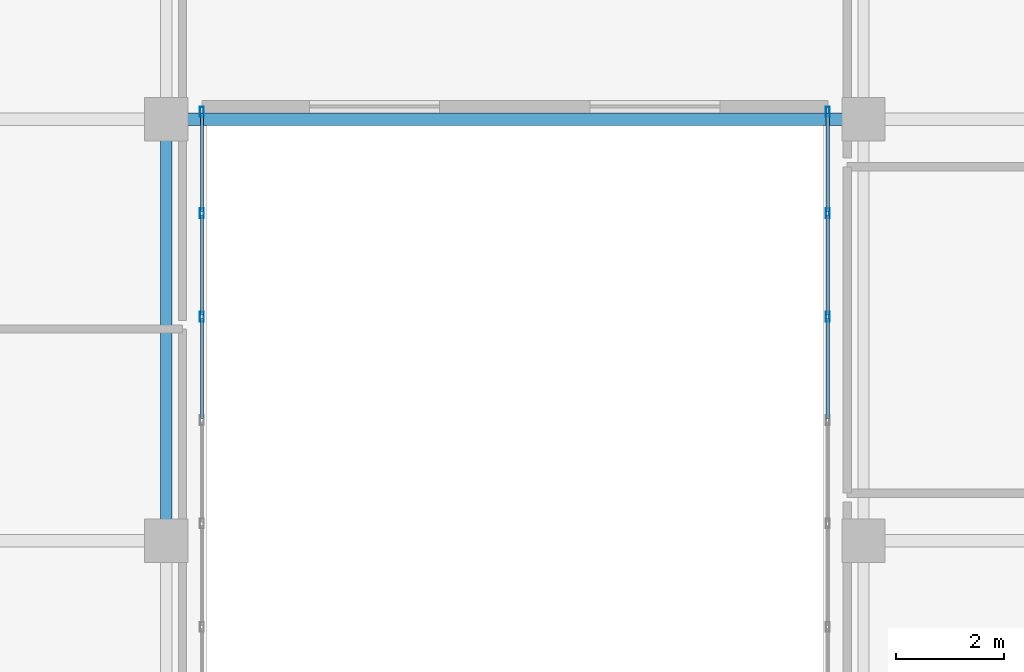
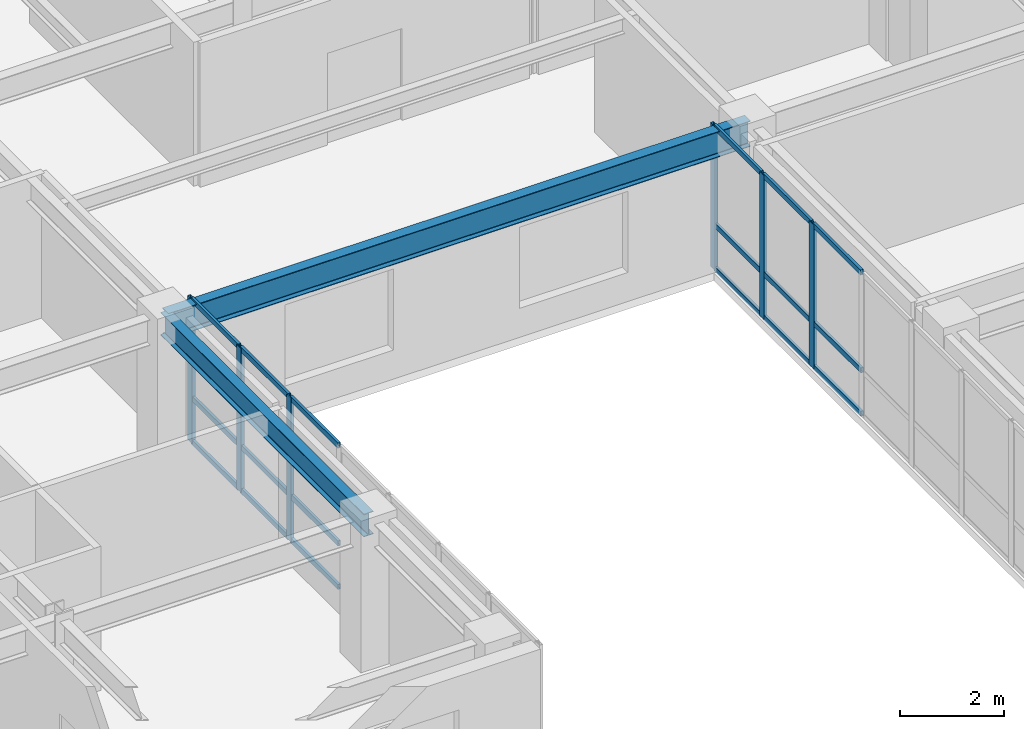
# One storey, part 8 of 24: 24 members, 2 beams, 2 elements without a shape of their own.
"""IFC4 building model written with IfcOpenShell, lengths in metres."""

from ifc_helpers import new_model, si_unit, direction, frame, origin, origin_2d, place, context, subcontext, project, spatial, hollow_rectangle, i_section, extrude, source, transform, mapped, material, layer, layer_set, material_profile, profile_set, type_object, type_shapes, element, aggregate, save


model = new_model("IFC4")

# Units and contexts
model_context = context("Model", 3, precision=1e-05, world=origin(), true_north=direction((0.0, 1.0)))
body_context = subcontext(model_context, "Body", "Model", "MODEL_VIEW")
ifc_project = project(units=[si_unit("LENGTHUNIT", "METRE"), si_unit("AREAUNIT", "SQUARE_METRE"), si_unit("VOLUMEUNIT", "CUBIC_METRE"), si_unit("PLANEANGLEUNIT", "RADIAN"), si_unit("MASSUNIT", "GRAM", prefix="KILO")], contexts=[model_context])

# Site, building, storey
site_placement = place(None, origin())
site = spatial("IfcSite", under=ifc_project, at=site_placement, CompositionType="ELEMENT")
building_placement = place(site_placement, origin())
building = spatial("IfcBuilding", under=site, at=building_placement, Name="Tolvann Quenvar Hotel", CompositionType="ELEMENT")
storey_placement = place(building_placement, frame((0.0, 0.0, 157.699951171875)))
storey = spatial("IfcBuildingStorey", under=building, at=storey_placement, Name="L41", CompositionType="ELEMENT", Elevation=157.699951171875)

# Beams
ifc_material_1 = material(Name="Steel Grade 350", Category="steel")
ifc_material_profile_1 = material_profile(ifc_material_1, i_section(OverallWidth=0.208984375, OverallDepth=0.532958984375, WebThickness=0.01025390625, FlangeThickness=0.015625, FilletRadius=0.013916015625, at=origin_2d()), Name="530UB92")
ifc_profile_set_1 = profile_set([ifc_material_profile_1], Name="Steel Grade 350")
beam_type_1 = type_object("IfcBeamType", Name="BM_GIRD_530UB92", PredefinedType="BEAM", material=ifc_profile_set_1)
shared_shape_1 = source(origin(), body_context, "Body", "SweptSolid", [
    extrude(i_section(OverallWidth=0.208984375, OverallDepth=0.532958984375, WebThickness=0.01025390625, FlangeThickness=0.015625, FilletRadius=0.013916015625, at=origin_2d()), origin(), (0.0, 0.0, 1.0), 7.800048828125),
])
type_shapes(beam_type_1, [shared_shape_1])
beam_1_placement = place(storey_placement, frame((22.050048828125, 8.199951171875, 3.103515625), z_axis=(0.0, 1.0, 0.0), x_axis=(-1.0, 0.0, 0.0)))
element("IfcBeam", 1, at=beam_1_placement, inside=storey, type_object=beam_type_1, Name="BM-L41-NS-E3-E4", PredefinedType="BEAM", context=body_context, shape_type="MappedRepresentation", body=[
    mapped(shared_shape_1, transform((0.0, 0.0, 0.0), x_axis=(1.0, 0.0, 0.0), y_axis=(0.0, 1.0, 0.0), z_axis=(0.0, 0.0, 1.0), scale=1.0)),
])
ifc_material_profile_2 = material_profile(ifc_material_1, i_section(OverallWidth=0.22802734375, OverallDepth=0.60205078125, WebThickness=0.010498046875, FlangeThickness=0.014892578125, FilletRadius=0.013916015625, at=origin_2d()), Name="610UB101")
ifc_profile_set_2 = profile_set([ifc_material_profile_2], Name="Steel Grade 350")
beam_type_2 = type_object("IfcBeamType", Name="BM_GIRD_610UB101", PredefinedType="BEAM", material=ifc_profile_set_2)
shared_shape_2 = source(origin(), body_context, "Body", "SweptSolid", [
    extrude(i_section(OverallWidth=0.22802734375, OverallDepth=0.60205078125, WebThickness=0.010498046875, FlangeThickness=0.014892578125, FilletRadius=0.013916015625, at=origin_2d()), origin(), (0.0, 0.0, 1.0), 12.89990234375),
])
type_shapes(beam_type_2, [shared_shape_2])
beam_2_placement = place(storey_placement, frame((22.050048828125, 16.0, 3.069091796875), z_axis=(1.0, 0.0, 0.0), x_axis=(0.0, 1.0, 0.0)))
element("IfcBeam", 2, at=beam_2_placement, inside=storey, type_object=beam_type_2, Name="BM-L41-EW-4-E4-F4", PredefinedType="BEAM", context=body_context, shape_type="MappedRepresentation", body=[
    mapped(shared_shape_2, transform((0.0, 0.0, 0.0), x_axis=(1.0, 0.0, 0.0), y_axis=(0.0, 1.0, 0.0), z_axis=(0.0, 0.0, 1.0), scale=1.0)),
])

# Curtain wall, members
ifc_material_2 = material(Name="Thermally broken anodised architectural aluminium 6063-T6 and laminated low-E glass", Category="aluminium")
ifc_layer = layer(ifc_material_2, 0.179931640625)
ifc_layer_set = layer_set([ifc_layer], Name="Thermally broken anodised architectural aluminium 6063-T6 and laminated low-E glass")
curtain_wall_type = type_object("IfcCurtainWallType", Name="CW_SYS_SLOT_03", PredefinedType="USERDEFINED", material=ifc_layer_set)
curtain_wall_1_placement = place(storey_placement, origin())
curtain_wall_1 = element("IfcCurtainWall", 3, at=curtain_wall_1_placement, inside=storey, type_object=curtain_wall_type, Name="Curtain Wall CW-SLOT-03 (CWR-L41-E05)", ObjectType="UNITISED CURTAIN WALL", PredefinedType="USERDEFINED")
ifc_material_3 = material(Name="Anodised architectural aluminium 6063-T6 framing", Category="aluminium")
ifc_material_profile_3 = material_profile(ifc_material_3, hollow_rectangle(XDim=0.070068359375, YDim=0.179931640625, WallThickness=0.00390625, at=origin_2d()), Name="180x70x4RHS")
ifc_profile_set_3 = profile_set([ifc_material_profile_3], Name="Anodised architectural aluminium 6063-T6 framing")
member_type_1 = type_object("IfcMemberType", Name="CW_MULL_180x70", PredefinedType="MULLION", material=ifc_profile_set_3)
shared_shape_3 = source(origin(), body_context, "Body", "SweptSolid", [
    extrude(hollow_rectangle(XDim=0.070068359375, YDim=0.179931640625, WallThickness=0.00390625, at=origin_2d()), origin(), (0.0, 0.0, 1.0), 3.3701171875),
])
type_shapes(member_type_1, [shared_shape_3])
member_1_placement = place(storey_placement, frame((22.7099609375, 12.346435546875, 0.0), z_axis=(0.0, 0.0, 1.0), x_axis=(-1.0, 0.0, 0.0)))
member_1 = element("IfcMember", 4, at=member_1_placement, type_object=member_type_1, Name="CW-SLOT-03 mullion 6", PredefinedType="MULLION", context=body_context, shape_type="MappedRepresentation", body=[
    mapped(shared_shape_3, transform((0.0, 0.0, 0.0), x_axis=(1.0, 0.0, 0.0), y_axis=(0.0, 1.0, 0.0), z_axis=(0.0, 0.0, 1.0), scale=1.0)),
])
member_2_placement = place(storey_placement, frame((22.7099609375, 14.2607421875, 0.0), z_axis=(0.0, 0.0, 1.0), x_axis=(-1.0, 0.0, 0.0)))
member_2 = element("IfcMember", 5, at=member_2_placement, type_object=member_type_1, Name="CW-SLOT-03 mullion 7", PredefinedType="MULLION", context=body_context, shape_type="MappedRepresentation", body=[
    mapped(shared_shape_3, transform((0.0, 0.0, 0.0), x_axis=(1.0, 0.0, 0.0), y_axis=(0.0, 1.0, 0.0), z_axis=(0.0, 0.0, 1.0), scale=1.0)),
])
member_3_placement = place(storey_placement, frame((22.7099609375, 16.139892578125, 0.0), z_axis=(0.0, 0.0, 1.0), x_axis=(-1.0, 0.0, 0.0)))
member_3 = element("IfcMember", 6, at=member_3_placement, type_object=member_type_1, Name="CW-SLOT-03 mullion 8", PredefinedType="MULLION", context=body_context, shape_type="MappedRepresentation", body=[
    mapped(shared_shape_3, transform((0.0, 0.0, 0.0), x_axis=(1.0, 0.0, 0.0), y_axis=(0.0, 1.0, 0.0), z_axis=(0.0, 0.0, 1.0), scale=1.0)),
])

curtain_wall_2_placement = place(storey_placement, origin())
curtain_wall_2 = element("IfcCurtainWall", 7, at=curtain_wall_2_placement, inside=storey, type_object=curtain_wall_type, Name="Curtain Wall CW-SLOT-03 (CWR-L41-E07)", ObjectType="UNITISED CURTAIN WALL", PredefinedType="USERDEFINED")
member_4_placement = place(storey_placement, frame((34.2900390625, 16.139892578125, 0.0), z_axis=(0.0, 0.0, 1.0), x_axis=(1.0, 0.0, 0.0)))
member_4 = element("IfcMember", 8, at=member_4_placement, type_object=member_type_1, Name="CW-SLOT-03 mullion 1", PredefinedType="MULLION", context=body_context, shape_type="MappedRepresentation", body=[
    mapped(shared_shape_3, transform((0.0, 0.0, 0.0), x_axis=(1.0, 0.0, 0.0), y_axis=(0.0, 1.0, 0.0), z_axis=(0.0, 0.0, 1.0), scale=1.0)),
])
member_5_placement = place(storey_placement, frame((34.2900390625, 14.2607421875, 0.0), z_axis=(0.0, 0.0, 1.0), x_axis=(1.0, 0.0, 0.0)))
member_5 = element("IfcMember", 9, at=member_5_placement, type_object=member_type_1, Name="CW-SLOT-03 mullion 2", PredefinedType="MULLION", context=body_context, shape_type="MappedRepresentation", body=[
    mapped(shared_shape_3, transform((0.0, 0.0, 0.0), x_axis=(1.0, 0.0, 0.0), y_axis=(0.0, 1.0, 0.0), z_axis=(0.0, 0.0, 1.0), scale=1.0)),
])
member_6_placement = place(storey_placement, frame((34.2900390625, 12.346435546875, 0.0), z_axis=(0.0, 0.0, 1.0), x_axis=(1.0, 0.0, 0.0)))
member_6 = element("IfcMember", 10, at=member_6_placement, type_object=member_type_1, Name="CW-SLOT-03 mullion 3", PredefinedType="MULLION", context=body_context, shape_type="MappedRepresentation", body=[
    mapped(shared_shape_3, transform((0.0, 0.0, 0.0), x_axis=(1.0, 0.0, 0.0), y_axis=(0.0, 1.0, 0.0), z_axis=(0.0, 0.0, 1.0), scale=1.0)),
])

# Member
ifc_material_profile_4 = material_profile(ifc_material_3, hollow_rectangle(XDim=0.06005859375, YDim=0.1201171875, WallThickness=0.00341796875, at=origin_2d()), Name="120x60x3.5RHS")
ifc_profile_set_4 = profile_set([ifc_material_profile_4], Name="Anodised architectural aluminium 6063-T6 framing")
member_type_2 = type_object("IfcMemberType", Name="CW_TRAN_120x60", PredefinedType="USERDEFINED", material=ifc_profile_set_4)
shared_shape_4 = source(origin(), body_context, "Body", "SweptSolid", [
    extrude(hollow_rectangle(XDim=0.06005859375, YDim=0.1201171875, WallThickness=0.00341796875, at=origin_2d()), origin(), (0.0, 0.0, 1.0), 1.809326171875),
])
member_7_placement = place(storey_placement, frame((22.7099609375, 14.295654296875, 0.030029296875), z_axis=(0.0, 1.0, 0.0), x_axis=(-1.0, 0.0, 0.0)))
member_7 = element("IfcMember", 11, at=member_7_placement, type_object=member_type_2, Name="CW-SLOT-03 transom 7.1", ObjectType="TRANSOM", PredefinedType="USERDEFINED", context=body_context, shape_type="MappedRepresentation", body=[
    mapped(shared_shape_4, transform((0.0, 0.0, 0.0), x_axis=(1.0, 0.0, 0.0), y_axis=(0.0, 1.0, 0.0), z_axis=(0.0, 0.0, 1.0), scale=1.0)),
])

member_8_placement = place(storey_placement, frame((22.7099609375, 14.295654296875, 1.050048828125), z_axis=(0.0, 1.0, 0.0), x_axis=(-1.0, 0.0, 0.0)))
member_8 = element("IfcMember", 12, at=member_8_placement, type_object=member_type_2, Name="CW-SLOT-03 transom 7.2", ObjectType="TRANSOM", PredefinedType="USERDEFINED", context=body_context, shape_type="MappedRepresentation", body=[
    mapped(shared_shape_4, transform((0.0, 0.0, 0.0), x_axis=(1.0, 0.0, 0.0), y_axis=(0.0, 1.0, 0.0), z_axis=(0.0, 0.0, 1.0), scale=1.0)),
])

member_9_placement = place(storey_placement, frame((22.7099609375, 14.295654296875, 3.340087890625), z_axis=(0.0, 1.0, 0.0), x_axis=(-1.0, 0.0, 0.0)))
member_9 = element("IfcMember", 13, at=member_9_placement, type_object=member_type_2, Name="CW-SLOT-03 transom 7.3", ObjectType="TRANSOM", PredefinedType="USERDEFINED", context=body_context, shape_type="MappedRepresentation", body=[
    mapped(shared_shape_4, transform((0.0, 0.0, 0.0), x_axis=(1.0, 0.0, 0.0), y_axis=(0.0, 1.0, 0.0), z_axis=(0.0, 0.0, 1.0), scale=1.0)),
])

member_10_placement = place(storey_placement, frame((34.2900390625, 16.10498046875, 0.030029296875), z_axis=(0.0, -1.0, 0.0), x_axis=(1.0, 0.0, 0.0)))
member_10 = element("IfcMember", 14, at=member_10_placement, type_object=member_type_2, Name="CW-SLOT-03 transom 1.1", ObjectType="TRANSOM", PredefinedType="USERDEFINED", context=body_context, shape_type="MappedRepresentation", body=[
    mapped(shared_shape_4, transform((0.0, 0.0, 0.0), x_axis=(1.0, 0.0, 0.0), y_axis=(0.0, 1.0, 0.0), z_axis=(0.0, 0.0, 1.0), scale=1.0)),
])

member_11_placement = place(storey_placement, frame((34.2900390625, 16.10498046875, 1.050048828125), z_axis=(0.0, -1.0, 0.0), x_axis=(1.0, 0.0, 0.0)))
member_11 = element("IfcMember", 15, at=member_11_placement, type_object=member_type_2, Name="CW-SLOT-03 transom 1.2", ObjectType="TRANSOM", PredefinedType="USERDEFINED", context=body_context, shape_type="MappedRepresentation", body=[
    mapped(shared_shape_4, transform((0.0, 0.0, 0.0), x_axis=(1.0, 0.0, 0.0), y_axis=(0.0, 1.0, 0.0), z_axis=(0.0, 0.0, 1.0), scale=1.0)),
])

member_12_placement = place(storey_placement, frame((34.2900390625, 16.10498046875, 3.340087890625), z_axis=(0.0, -1.0, 0.0), x_axis=(1.0, 0.0, 0.0)))
member_12 = element("IfcMember", 16, at=member_12_placement, type_object=member_type_2, Name="CW-SLOT-03 transom 1.3", ObjectType="TRANSOM", PredefinedType="USERDEFINED", context=body_context, shape_type="MappedRepresentation", body=[
    mapped(shared_shape_4, transform((0.0, 0.0, 0.0), x_axis=(1.0, 0.0, 0.0), y_axis=(0.0, 1.0, 0.0), z_axis=(0.0, 0.0, 1.0), scale=1.0)),
])

shared_shape_5 = source(origin(), body_context, "Body", "SweptSolid", [
    extrude(hollow_rectangle(XDim=0.06005859375, YDim=0.1201171875, WallThickness=0.00341796875, at=origin_2d()), origin(), (0.0, 0.0, 1.0), 1.844482421875),
])
type_shapes(member_type_2, [shared_shape_4, shared_shape_5])
member_13_placement = place(storey_placement, frame((22.7099609375, 10.467041015625, 0.030029296875), z_axis=(0.0, 1.0, 0.0), x_axis=(-1.0, 0.0, 0.0)))
member_13 = element("IfcMember", 17, at=member_13_placement, type_object=member_type_2, Name="CW-SLOT-03 transom 5.1", ObjectType="TRANSOM", PredefinedType="USERDEFINED", context=body_context, shape_type="MappedRepresentation", body=[
    mapped(shared_shape_5, transform((0.0, 0.0, 0.0), x_axis=(1.0, 0.0, 0.0), y_axis=(0.0, 1.0, 0.0), z_axis=(0.0, 0.0, 1.0), scale=1.0)),
])

member_14_placement = place(storey_placement, frame((22.7099609375, 10.467041015625, 1.050048828125), z_axis=(0.0, 1.0, 0.0), x_axis=(-1.0, 0.0, 0.0)))
member_14 = element("IfcMember", 18, at=member_14_placement, type_object=member_type_2, Name="CW-SLOT-03 transom 5.2", ObjectType="TRANSOM", PredefinedType="USERDEFINED", context=body_context, shape_type="MappedRepresentation", body=[
    mapped(shared_shape_5, transform((0.0, 0.0, 0.0), x_axis=(1.0, 0.0, 0.0), y_axis=(0.0, 1.0, 0.0), z_axis=(0.0, 0.0, 1.0), scale=1.0)),
])

member_15_placement = place(storey_placement, frame((22.7099609375, 10.467041015625, 3.340087890625), z_axis=(0.0, 1.0, 0.0), x_axis=(-1.0, 0.0, 0.0)))
member_15 = element("IfcMember", 19, at=member_15_placement, type_object=member_type_2, Name="CW-SLOT-03 transom 5.3", ObjectType="TRANSOM", PredefinedType="USERDEFINED", context=body_context, shape_type="MappedRepresentation", body=[
    mapped(shared_shape_5, transform((0.0, 0.0, 0.0), x_axis=(1.0, 0.0, 0.0), y_axis=(0.0, 1.0, 0.0), z_axis=(0.0, 0.0, 1.0), scale=1.0)),
])

member_16_placement = place(storey_placement, frame((22.7099609375, 12.38134765625, 0.030029296875), z_axis=(0.0, 1.0, 0.0), x_axis=(-1.0, 0.0, 0.0)))
member_16 = element("IfcMember", 20, at=member_16_placement, type_object=member_type_2, Name="CW-SLOT-03 transom 6.1", ObjectType="TRANSOM", PredefinedType="USERDEFINED", context=body_context, shape_type="MappedRepresentation", body=[
    mapped(shared_shape_5, transform((0.0, 0.0, 0.0), x_axis=(1.0, 0.0, 0.0), y_axis=(0.0, 1.0, 0.0), z_axis=(0.0, 0.0, 1.0), scale=1.0)),
])

member_17_placement = place(storey_placement, frame((22.7099609375, 12.38134765625, 1.050048828125), z_axis=(0.0, 1.0, 0.0), x_axis=(-1.0, 0.0, 0.0)))
member_17 = element("IfcMember", 21, at=member_17_placement, type_object=member_type_2, Name="CW-SLOT-03 transom 6.2", ObjectType="TRANSOM", PredefinedType="USERDEFINED", context=body_context, shape_type="MappedRepresentation", body=[
    mapped(shared_shape_5, transform((0.0, 0.0, 0.0), x_axis=(1.0, 0.0, 0.0), y_axis=(0.0, 1.0, 0.0), z_axis=(0.0, 0.0, 1.0), scale=1.0)),
])

member_18_placement = place(storey_placement, frame((22.7099609375, 12.38134765625, 3.340087890625), z_axis=(0.0, 1.0, 0.0), x_axis=(-1.0, 0.0, 0.0)))
member_18 = element("IfcMember", 22, at=member_18_placement, type_object=member_type_2, Name="CW-SLOT-03 transom 6.3", ObjectType="TRANSOM", PredefinedType="USERDEFINED", context=body_context, shape_type="MappedRepresentation", body=[
    mapped(shared_shape_5, transform((0.0, 0.0, 0.0), x_axis=(1.0, 0.0, 0.0), y_axis=(0.0, 1.0, 0.0), z_axis=(0.0, 0.0, 1.0), scale=1.0)),
])

aggregate(curtain_wall_1, [member_1, member_2, member_3, member_13, member_14, member_15, member_16, member_17, member_18, member_7, member_8, member_9])

member_19_placement = place(storey_placement, frame((34.2900390625, 14.225830078125, 0.030029296875), z_axis=(0.0, -1.0, 0.0), x_axis=(1.0, 0.0, 0.0)))
member_19 = element("IfcMember", 23, at=member_19_placement, type_object=member_type_2, Name="CW-SLOT-03 transom 2.1", ObjectType="TRANSOM", PredefinedType="USERDEFINED", context=body_context, shape_type="MappedRepresentation", body=[
    mapped(shared_shape_5, transform((0.0, 0.0, 0.0), x_axis=(1.0, 0.0, 0.0), y_axis=(0.0, 1.0, 0.0), z_axis=(0.0, 0.0, 1.0), scale=1.0)),
])

member_20_placement = place(storey_placement, frame((34.2900390625, 14.225830078125, 1.050048828125), z_axis=(0.0, -1.0, 0.0), x_axis=(1.0, 0.0, 0.0)))
member_20 = element("IfcMember", 24, at=member_20_placement, type_object=member_type_2, Name="CW-SLOT-03 transom 2.2", ObjectType="TRANSOM", PredefinedType="USERDEFINED", context=body_context, shape_type="MappedRepresentation", body=[
    mapped(shared_shape_5, transform((0.0, 0.0, 0.0), x_axis=(1.0, 0.0, 0.0), y_axis=(0.0, 1.0, 0.0), z_axis=(0.0, 0.0, 1.0), scale=1.0)),
])

member_21_placement = place(storey_placement, frame((34.2900390625, 14.225830078125, 3.340087890625), z_axis=(0.0, -1.0, 0.0), x_axis=(1.0, 0.0, 0.0)))
member_21 = element("IfcMember", 25, at=member_21_placement, type_object=member_type_2, Name="CW-SLOT-03 transom 2.3", ObjectType="TRANSOM", PredefinedType="USERDEFINED", context=body_context, shape_type="MappedRepresentation", body=[
    mapped(shared_shape_5, transform((0.0, 0.0, 0.0), x_axis=(1.0, 0.0, 0.0), y_axis=(0.0, 1.0, 0.0), z_axis=(0.0, 0.0, 1.0), scale=1.0)),
])

member_22_placement = place(storey_placement, frame((34.2900390625, 12.3115234375, 0.030029296875), z_axis=(0.0, -1.0, 0.0), x_axis=(1.0, 0.0, 0.0)))
member_22 = element("IfcMember", 26, at=member_22_placement, type_object=member_type_2, Name="CW-SLOT-03 transom 3.1", ObjectType="TRANSOM", PredefinedType="USERDEFINED", context=body_context, shape_type="MappedRepresentation", body=[
    mapped(shared_shape_5, transform((0.0, 0.0, 0.0), x_axis=(1.0, 0.0, 0.0), y_axis=(0.0, 1.0, 0.0), z_axis=(0.0, 0.0, 1.0), scale=1.0)),
])

member_23_placement = place(storey_placement, frame((34.2900390625, 12.3115234375, 1.050048828125), z_axis=(0.0, -1.0, 0.0), x_axis=(1.0, 0.0, 0.0)))
member_23 = element("IfcMember", 27, at=member_23_placement, type_object=member_type_2, Name="CW-SLOT-03 transom 3.2", ObjectType="TRANSOM", PredefinedType="USERDEFINED", context=body_context, shape_type="MappedRepresentation", body=[
    mapped(shared_shape_5, transform((0.0, 0.0, 0.0), x_axis=(1.0, 0.0, 0.0), y_axis=(0.0, 1.0, 0.0), z_axis=(0.0, 0.0, 1.0), scale=1.0)),
])

member_24_placement = place(storey_placement, frame((34.2900390625, 12.3115234375, 3.340087890625), z_axis=(0.0, -1.0, 0.0), x_axis=(1.0, 0.0, 0.0)))
member_24 = element("IfcMember", 28, at=member_24_placement, type_object=member_type_2, Name="CW-SLOT-03 transom 3.3", ObjectType="TRANSOM", PredefinedType="USERDEFINED", context=body_context, shape_type="MappedRepresentation", body=[
    mapped(shared_shape_5, transform((0.0, 0.0, 0.0), x_axis=(1.0, 0.0, 0.0), y_axis=(0.0, 1.0, 0.0), z_axis=(0.0, 0.0, 1.0), scale=1.0)),
])

aggregate(curtain_wall_2, [member_4, member_5, member_6, member_10, member_11, member_12, member_19, member_20, member_21, member_22, member_23, member_24])

save(model, "model.ifc")
